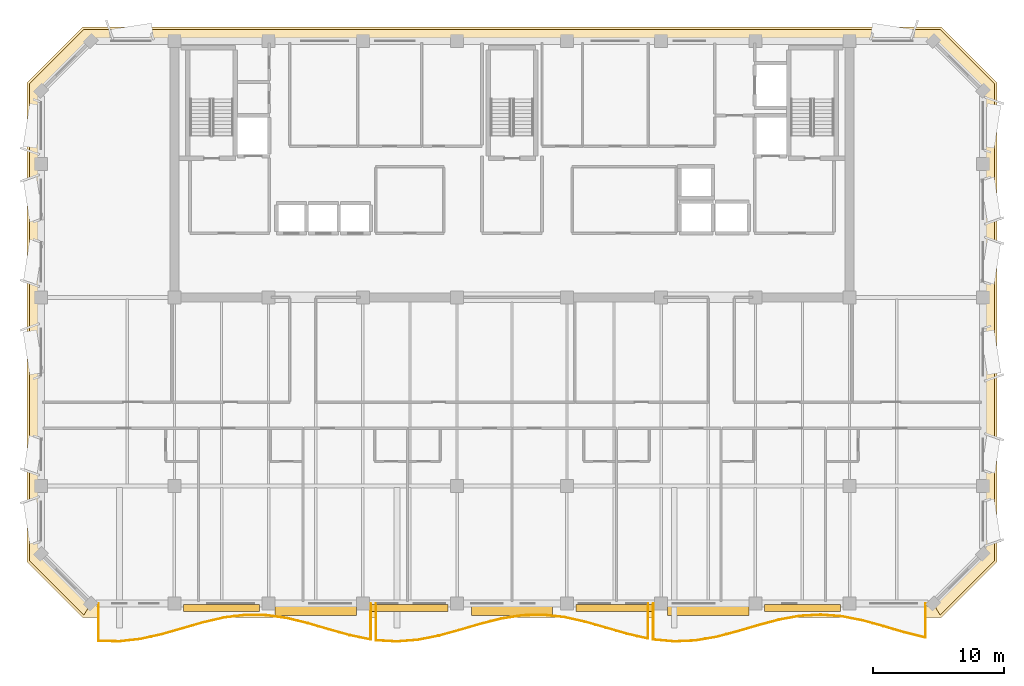
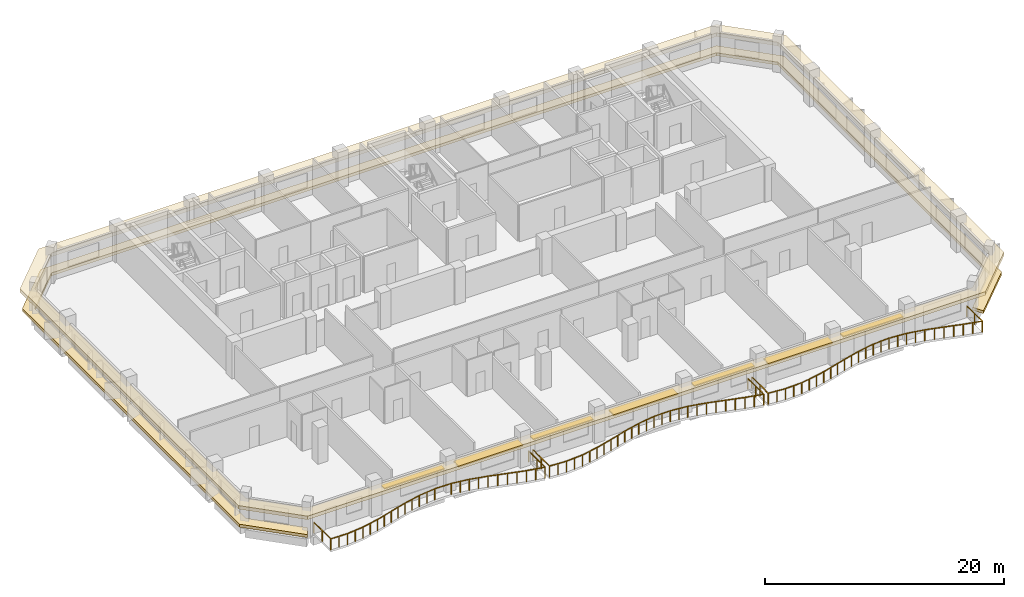
# One storey, part 9 of 11: 7 shading devices, 3 railings, 2 coverings.
"""IFC4 building model written with IfcOpenShell, lengths in metres."""

import ifcopenshell
import ifcopenshell.guid

model = None  # the IFC model being written
_history = None  # IfcOwnerHistory: only IFC2X3 demands one
_inside = {}  # id of a spatial element -> (the spatial element, [elements in it])
_under = {}  # id of a project, library or spatial element -> (it, [spatial elements below it])
_declared = {}  # id of a project -> (the project, [libraries it declares])
_typed = {}  # id of a type object -> (the type object, [elements of that type])
_made_of = {}  # id of a material, layer set ... -> (it, [elements and type objects made of it])


def new_model(schema):
    """Start an empty IFC model of exactly this schema.

    Asked for "IFC4X3", IfcOpenShell would pick the latest addendum, in which some entities
    have other attributes; the version numbers below select the first issue.
    IFC2X3 requires an IfcOwnerHistory on every rooted entity: one is made here for all.
    """
    global model, _history
    if schema == "IFC4X3":
        model = ifcopenshell.file(schema_version=(4, 3, 0, 0))
    else:
        model = ifcopenshell.file(schema=schema)
    _inside.clear()
    _under.clear()
    _declared.clear()
    _typed.clear()
    _made_of.clear()
    _history = None
    if model.schema == "IFC2X3":
        org = make("IfcOrganization", Name="unknown")
        user = make(
            "IfcPersonAndOrganization",
            ThePerson=make("IfcPerson", FamilyName="unknown"),
            TheOrganization=org,
        )
        app = make(
            "IfcApplication",
            ApplicationDeveloper=org,
            Version="unknown",
            ApplicationFullName="unknown",
            ApplicationIdentifier="unknown",
        )
        _history = make(
            "IfcOwnerHistory",
            OwningUser=user,
            OwningApplication=app,
            ChangeAction="ADDED",
            CreationDate=0,
        )
    return model


def make(cls, **values):
    """One entity of the class cls with the attributes given. An attribute that is None is left unset."""
    return model.create_entity(
        cls, **{name: value for name, value in values.items() if value is not None}
    )


def rooted(cls, **values):
    """An entity with a GlobalId (a new one), such as an element, a storey or a relation."""
    return make(cls, GlobalId=ifcopenshell.guid.new(), OwnerHistory=_history, **values)


def si_unit(unit_type, name, prefix=None):
    """IfcSIUnit, for example si_unit("LENGTHUNIT", "METRE", prefix="MILLI")."""
    return make("IfcSIUnit", UnitType=unit_type, Prefix=prefix, Name=name)


def assignment(units):
    """IfcUnitAssignment: the units of a project."""
    return None if units is None else make("IfcUnitAssignment", Units=units)


def point(xyz):
    """IfcCartesianPoint."""
    return None if xyz is None else make("IfcCartesianPoint", Coordinates=xyz)


def direction(xyz):
    """IfcDirection."""
    return None if xyz is None else make("IfcDirection", DirectionRatios=xyz)


def frame(location, z_axis=None, x_axis=None):
    """IfcAxis2Placement3D, a coordinate frame: its origin and axes. An axis left out is left unset."""
    return make(
        "IfcAxis2Placement3D",
        Location=point(location),
        Axis=direction(z_axis),
        RefDirection=direction(x_axis),
    )


def frame_2d(location, x_axis=None):
    """IfcAxis2Placement2D, a coordinate frame in the plane: its origin and x axis."""
    return make(
        "IfcAxis2Placement2D", Location=point(location), RefDirection=direction(x_axis)
    )


def origin():
    """The frame at (0, 0, 0) with its axes left unset."""
    return frame((0.0, 0.0, 0.0))


def origin_2d():
    """The frame at (0, 0) in the plane with its x axis left unset."""
    return frame_2d((0.0, 0.0))


def place(relative_to, where):
    """IfcLocalPlacement: puts the frame where relative to a parent placement (None: the world)."""
    return make(
        "IfcLocalPlacement", PlacementRelTo=relative_to, RelativePlacement=where
    )


def context(
    kind, dimensions, precision=None, world=None, true_north=None, identifier=None
):
    """IfcGeometricRepresentationContext, for example the 3D "Model" context."""
    return make(
        "IfcGeometricRepresentationContext",
        ContextIdentifier=identifier,
        ContextType=kind,
        CoordinateSpaceDimension=dimensions,
        Precision=precision,
        WorldCoordinateSystem=world,
        TrueNorth=true_north,
    )


def subcontext(parent, identifier, kind, view, scale=None):
    """IfcGeometricRepresentationSubContext, for example "Body" below "Model"."""
    return make(
        "IfcGeometricRepresentationSubContext",
        ContextIdentifier=identifier,
        ContextType=kind,
        ParentContext=parent,
        TargetScale=scale,
        TargetView=view,
    )


def project(units=None, contexts=None):
    """IfcProject with its units and contexts."""
    return rooted(
        "IfcProject",
        Name="project",
        RepresentationContexts=contexts,
        UnitsInContext=assignment(units),
    )


def spatial(cls, under=None, at=None, **own):
    """A site, building, storey or space (cls), placed at a placement, below another one or the project."""
    s = rooted(cls, ObjectPlacement=at, **own)
    if under is not None:
        _under.setdefault(under.id(), (under, []))[1].append(s)
    return s


def polyline(points):
    """IfcPolyline through the points."""
    return make("IfcPolyline", Points=[point(p) for p in points])


def profile(cls, at=None, kind="AREA", **sizes):
    """A parametric profile (cls). Its sizes go by their IFC names, for example OverallWidth=200.0."""
    return make(cls, ProfileType=kind, Position=at, **sizes)


def rectangle(**sizes):
    """IfcRectangleProfileDef."""
    return profile("IfcRectangleProfileDef", **sizes)


def outline(outer, holes=None, kind="AREA"):
    """IfcArbitraryClosedProfileDef: a profile drawn as a closed curve; with holes, ...WithVoids."""
    if holes is None:
        return make("IfcArbitraryClosedProfileDef", ProfileType=kind, OuterCurve=outer)
    return make(
        "IfcArbitraryProfileDefWithVoids",
        ProfileType=kind,
        OuterCurve=outer,
        InnerCurves=holes,
    )


def extrude(swept, where, along, depth):
    """IfcExtrudedAreaSolid: the profile swept, set in the frame where, extruded along a direction by depth."""
    return make(
        "IfcExtrudedAreaSolid",
        SweptArea=swept,
        Position=where,
        ExtrudedDirection=direction(along),
        Depth=depth,
    )


def shape(context_of_items, identifier, shape_type, items):
    """IfcShapeRepresentation: the items that make up one representation, for example the "Body"."""
    return make(
        "IfcShapeRepresentation",
        ContextOfItems=context_of_items,
        RepresentationIdentifier=identifier,
        RepresentationType=shape_type,
        Items=items,
    )


def material(Name=None, Category=None):
    """IfcMaterial."""
    return make("IfcMaterial", Name=Name, Category=Category)


def layer(
    of_material, thickness, ventilated=None, Name=None, Category=None, Priority=None
):
    """IfcMaterialLayer: one layer of a wall or slab, of a material (None: an air gap)."""
    return make(
        "IfcMaterialLayer",
        Material=of_material,
        LayerThickness=thickness,
        IsVentilated=ventilated,
        Name=Name,
        Category=Category,
        Priority=Priority,
    )


def layer_set(layers, Name=None):
    """IfcMaterialLayerSet."""
    return make("IfcMaterialLayerSet", MaterialLayers=layers, LayerSetName=Name)


def made_of(thing, what):
    """Note that an element or type object is made of a material, layer set ...; save() writes the relation."""
    if what is not None:
        _made_of.setdefault(what.id(), (what, []))[1].append(thing)
    return thing


def type_object(cls, material=None, **own):
    """A type object (cls), such as IfcWallType, which elements share."""
    return made_of(rooted(cls, **own), material)


def element(
    cls,
    number,
    at=None,
    inside=None,
    cuts=None,
    type_object=None,
    material=None,
    context=None,
    identifier="Body",
    shape_type=None,
    held_by="IfcProductDefinitionShape",
    body=None,
    shapes=None,
    **own,
):
    """One element of the class cls, such as IfcWall. Its Tag is "e" and its number.

    at: its placement. inside: the storey or other place that contains it. cuts: it is an
    opening in that element (IfcRelVoidsElement). A single representation is given by context,
    identifier, shape_type and body (its items); several are given by shapes. held_by: the class
    of the entity that holds the representations. save() writes the other relations.
    """
    e = rooted(cls, Tag="e%d" % number, ObjectPlacement=at, **own)
    if body is not None:
        shapes = [shape(context, identifier, shape_type, body)]
    if shapes is not None:
        e.Representation = make(held_by, Representations=shapes)
    if inside is not None:
        _inside.setdefault(inside.id(), (inside, []))[1].append(e)
    if cuts is not None:
        rooted(
            "IfcRelVoidsElement", RelatingBuildingElement=cuts, RelatedOpeningElement=e
        )
    if type_object is not None:
        _typed.setdefault(type_object.id(), (type_object, []))[1].append(e)
    return made_of(e, material)


def aggregate(whole, parts):
    """IfcRelAggregates: a whole, such as a stair, and the parts it consists of."""
    return rooted("IfcRelAggregates", RelatingObject=whole, RelatedObjects=parts)


def save(model, path):
    """Write the relations noted so far, then the file.

    IfcRelAggregates (storeys below a building ...), IfcRelContainedInSpatialStructure (elements
    in a storey), IfcRelDefinesByType, IfcRelAssociatesMaterial and IfcRelDeclares: one each for
    every whole, place, type object, material and project.
    """
    for whole, parts in _under.values():
        aggregate(whole, parts)
    for where, things in _inside.values():
        rooted(
            "IfcRelContainedInSpatialStructure",
            RelatedElements=things,
            RelatingStructure=where,
        )
    for kind, things in _typed.values():
        rooted("IfcRelDefinesByType", RelatedObjects=things, RelatingType=kind)
    for what, things in _made_of.values():
        rooted("IfcRelAssociatesMaterial", RelatedObjects=things, RelatingMaterial=what)
    for by, libraries in _declared.values():
        rooted("IfcRelDeclares", RelatingContext=by, RelatedDefinitions=libraries)
    model.write(path)


model = new_model("IFC4")

# Units and contexts
model_context = context("Model", 3, precision=1e-05, world=origin(), true_north=direction((0.0, 1.0)))
body_context = subcontext(model_context, "Body", "Model", "MODEL_VIEW")
ifc_project = project(units=[si_unit("LENGTHUNIT", "METRE"), si_unit("AREAUNIT", "SQUARE_METRE"), si_unit("VOLUMEUNIT", "CUBIC_METRE"), si_unit("PLANEANGLEUNIT", "RADIAN"), si_unit("MASSUNIT", "GRAM", prefix="KILO")], contexts=[model_context])

# Site, building, storey
site_placement = place(None, origin())
site = spatial("IfcSite", under=ifc_project, at=site_placement, CompositionType="ELEMENT")
building_placement = place(site_placement, origin())
building = spatial("IfcBuilding", under=site, at=building_placement, Name="Kaelvorn Grand Hotel", CompositionType="ELEMENT")
storey_placement = place(building_placement, frame((0.0, 0.0, 244.949951171875)))
storey = spatial("IfcBuildingStorey", under=building, at=storey_placement, Name="L60", CompositionType="ELEMENT", Elevation=244.949951171875)

# Coverings
ifc_material_1 = material(Name="Precast concrete C45/55", Category="concrete")
ifc_layer_1 = layer(ifc_material_1, 0.260009765625)
ifc_layer_set_1 = layer_set([ifc_layer_1], Name="Precast concrete C45/55")
covering_type_1 = type_object("IfcCoveringType", Name="COV-BAND-STREAMLINE-HEAD", PredefinedType="CLADDING", material=ifc_layer_set_1)
covering_1_placement = place(storey_placement, frame((0.0, 0.0, 2.420166015625)))
element("IfcCovering", 1, at=covering_1_placement, inside=storey, type_object=covering_type_1, Name="L60 Streamline Moderne Wraparound Horizontal Eyebrow Band", PredefinedType="CLADDING", context=body_context, shape_type="SweptSolid", body=[
    extrude(outline(polyline([(9.18994140625, 4.949951171875), (74.81005859375, 4.949951171875), (79.050048828125, 9.18994140625), (79.050048828125, 45.81005859375), (74.81005859375, 50.050048828125), (9.18994140625, 50.050048828125), (4.949951171875, 45.81005859375), (4.949951171875, 9.18994140625), (9.18994140625, 4.949951171875)]), holes=[polyline([(9.820068359375, 6.030029296875), (74.179931640625, 6.030029296875), (77.969970703125, 9.820068359375), (77.969970703125, 45.179931640625), (74.179931640625, 48.969970703125), (9.820068359375, 48.969970703125), (6.030029296875, 45.179931640625), (6.030029296875, 9.820068359375), (9.820068359375, 6.030029296875)])]), origin(), (0.0, 0.0, 1.0), 0.35986328125),
])
ifc_layer_2 = layer(ifc_material_1, 0.219970703125)
ifc_layer_set_2 = layer_set([ifc_layer_2], Name="Precast concrete C45/55")
covering_type_2 = type_object("IfcCoveringType", Name="COV-BAND-STREAMLINE-SILL", PredefinedType="CLADDING", material=ifc_layer_set_2)
covering_2_placement = place(storey_placement, frame((0.0, 0.0, 0.449951171875)))
element("IfcCovering", 2, at=covering_2_placement, inside=storey, type_object=covering_type_2, Name="L60 Streamline Moderne Wraparound Horizontal Sill Spandrel Band", PredefinedType="CLADDING", context=body_context, shape_type="SweptSolid", body=[
    extrude(outline(polyline([(74.715576171875, 5.1201171875), (78.8798828125, 9.284423828125), (78.8798828125, 45.715576171875), (74.715576171875, 49.8798828125), (9.284423828125, 49.8798828125), (5.1201171875, 45.715576171875), (5.1201171875, 9.284423828125), (9.284423828125, 5.1201171875), (9.817626953125, 6.030029296875), (6.030029296875, 9.817626953125), (6.030029296875, 45.182373046875), (9.817626953125, 48.969970703125), (74.182373046875, 48.969970703125), (77.969970703125, 45.182373046875), (77.969970703125, 9.817626953125), (74.182373046875, 6.030029296875), (74.715576171875, 5.1201171875)])), origin(), (0.0, 0.0, 1.0), 0.300048828125),
])

# Railings
ifc_material_2 = material(Name="Stainless Steel", Category="steel")
railing_type = type_object("IfcRailingType", Name="RL-BALC-1150", PredefinedType="BALUSTRADE", material=ifc_material_2)
railing_1_placement = place(storey_placement, frame((10.39990234375, 6.0, 0.0)))
element("IfcRailing", 3, at=railing_1_placement, inside=storey, type_object=railing_type, Name="L60 Scalloped Wave Balcony Balustrade GR1-1", PredefinedType="BALUSTRADE", context=body_context, shape_type="SweptSolid", body=[
    extrude(rectangle(XDim=0.048095703125, YDim=0.048095703125, at=origin_2d()), frame((0.0, 0.0, 1.1259765625), z_axis=(0.0, -1.0, 0.0), x_axis=(1.0, 0.0, 0.0)), (0.0, 0.0, 1.0), 2.849853515625),
    extrude(rectangle(XDim=0.048095703125, YDim=0.048095703125, at=origin_2d()), frame((0.0, -2.849853515625, 1.1259765625), z_axis=(0.999713206321, -0.023947966645, 0.0), x_axis=(0.023947966645, 0.999713206321, 0.0)), (0.0, 0.0, 1.0), 1.6005859375),
    extrude(rectangle(XDim=0.048095703125, YDim=0.048095703125, at=origin_2d()), frame((1.60009765625, -2.88818359375, 1.1259765625), z_axis=(0.993937251022, 0.109948810954, 0.0), x_axis=(-0.109948810954, 0.993937251022, 0.0)), (0.0, 0.0, 1.0), 1.60986328125),
    extrude(rectangle(XDim=0.048095703125, YDim=0.048095703125, at=origin_2d()), frame((3.2001953125, -2.711181640625, 1.1259765625), z_axis=(0.976257116807, 0.216614962282, 0.0), x_axis=(-0.216614962282, 0.976257116807, 0.0)), (0.0, 0.0, 1.0), 1.638671875),
    extrude(rectangle(XDim=0.048095703125, YDim=0.048095703125, at=origin_2d()), frame((4.800048828125, -2.356201171875, 1.1259765625), z_axis=(0.961507337723, 0.274779255959, 0.0), x_axis=(-0.274779255959, 0.961507337723, 0.0)), (0.0, 0.0, 1.0), 1.6640625),
    extrude(rectangle(XDim=0.048095703125, YDim=0.048095703125, at=origin_2d()), frame((6.400146484375, -1.89892578125, 1.1259765625), z_axis=(0.960678560295, 0.27766293197, 0.0), x_axis=(-0.27766293197, 0.960678560295, 0.0)), (0.0, 0.0, 1.0), 1.665283203125),
    extrude(rectangle(XDim=0.048095703125, YDim=0.048095703125, at=origin_2d()), frame((8.0, -1.4365234375, 1.1259765625), z_axis=(0.974406227917, 0.224794357127, 0.0), x_axis=(-0.224794357127, 0.974406227917, 0.0)), (0.0, 0.0, 1.0), 1.64208984375),
    extrude(rectangle(XDim=0.048095703125, YDim=0.048095703125, at=origin_2d()), frame((9.60009765625, -1.0673828125, 1.1259765625), z_axis=(0.992467733724, 0.122506316232, 0.0), x_axis=(-0.122506316232, 0.992467733724, 0.0)), (0.0, 0.0, 1.0), 1.6123046875),
    extrude(rectangle(XDim=0.048095703125, YDim=0.048095703125, at=origin_2d()), frame((11.2001953125, -0.869873046875, 1.1259765625), z_axis=(0.999946164045, -0.010376367947, 0.0), x_axis=(0.010376367947, 0.999946164045, 0.0)), (0.0, 0.0, 1.0), 1.599853515625),
    extrude(rectangle(XDim=0.048095703125, YDim=0.048095703125, at=origin_2d()), frame((12.800048828125, -0.886474609375, 1.1259765625), z_axis=(0.990102995912, -0.14034264315, 0.0), x_axis=(0.14034264315, 0.990102995912, 0.0)), (0.0, 0.0, 1.0), 1.6162109375),
    extrude(rectangle(XDim=0.048095703125, YDim=0.048095703125, at=origin_2d()), frame((14.400146484375, -1.11328125, 1.1259765625), z_axis=(0.971700727271, -0.236215360681, 0.0), x_axis=(0.236215360681, 0.971700727271, 0.0)), (0.0, 0.0, 1.0), 1.646484375),
    extrude(rectangle(XDim=0.048095703125, YDim=0.048095703125, at=origin_2d()), frame((16.0, -1.502197265625, 1.1259765625), z_axis=(0.959786500851, -0.28073096157, 0.0), x_axis=(0.28073096157, 0.959786500851, 0.0)), (0.0, 0.0, 1.0), 1.667236328125),
    extrude(rectangle(XDim=0.048095703125, YDim=0.048095703125, at=origin_2d()), frame((17.60009765625, -1.97021484375, 1.1259765625), z_axis=(0.962968597463, -0.269613575884, 0.0), x_axis=(0.269613575884, 0.962968597463, 0.0)), (0.0, 0.0, 1.0), 1.66162109375),
    extrude(rectangle(XDim=0.048095703125, YDim=0.048095703125, at=origin_2d()), frame((19.2001953125, -2.418212890625, 1.1259765625), z_axis=(0.979105781264, -0.203351589852, 0.0), x_axis=(0.203351589852, 0.979105781264, 0.0)), (0.0, 0.0, 1.0), 1.634033203125),
    extrude(rectangle(XDim=0.048095703125, YDim=0.048095703125, at=origin_2d()), frame((20.800048828125, -2.75048828125, 1.1259765625), z_axis=(0.0, 1.0, 0.0), x_axis=(-1.0, 0.0, 0.0)), (0.0, 0.0, 1.0), 2.75048828125),
    extrude(rectangle(XDim=0.0419921875, YDim=0.0419921875, at=origin_2d()), origin(), (0.0, 0.0, 1.0), 1.101806640625),
    extrude(rectangle(XDim=0.0419921875, YDim=0.0419921875, at=origin_2d()), frame((0.0, -1.4248046875, 0.0)), (0.0, 0.0, 1.0), 1.101806640625),
    extrude(rectangle(XDim=0.0419921875, YDim=0.0419921875, at=origin_2d()), frame((0.0, -2.849853515625, 0.0)), (0.0, 0.0, 1.0), 1.101806640625),
    extrude(rectangle(XDim=0.0419921875, YDim=0.0419921875, at=origin_2d()), frame((0.800048828125, -2.869140625, 0.0)), (0.0, 0.0, 1.0), 1.101806640625),
    extrude(rectangle(XDim=0.0419921875, YDim=0.0419921875, at=origin_2d()), frame((1.60009765625, -2.88818359375, 0.0)), (0.0, 0.0, 1.0), 1.101806640625),
    extrude(rectangle(XDim=0.0419921875, YDim=0.0419921875, at=origin_2d()), frame((2.400146484375, -2.7998046875, 0.0)), (0.0, 0.0, 1.0), 1.101806640625),
    extrude(rectangle(XDim=0.0419921875, YDim=0.0419921875, at=origin_2d()), frame((3.2001953125, -2.711181640625, 0.0)), (0.0, 0.0, 1.0), 1.101806640625),
    extrude(rectangle(XDim=0.0419921875, YDim=0.0419921875, at=origin_2d()), frame((4.0, -2.53369140625, 0.0)), (0.0, 0.0, 1.0), 1.101806640625),
    extrude(rectangle(XDim=0.0419921875, YDim=0.0419921875, at=origin_2d()), frame((4.800048828125, -2.356201171875, 0.0)), (0.0, 0.0, 1.0), 1.101806640625),
    extrude(rectangle(XDim=0.0419921875, YDim=0.0419921875, at=origin_2d()), frame((5.60009765625, -2.12744140625, 0.0)), (0.0, 0.0, 1.0), 1.101806640625),
    extrude(rectangle(XDim=0.0419921875, YDim=0.0419921875, at=origin_2d()), frame((6.400146484375, -1.89892578125, 0.0)), (0.0, 0.0, 1.0), 1.101806640625),
    extrude(rectangle(XDim=0.0419921875, YDim=0.0419921875, at=origin_2d()), frame((7.2001953125, -1.667724609375, 0.0)), (0.0, 0.0, 1.0), 1.101806640625),
    extrude(rectangle(XDim=0.0419921875, YDim=0.0419921875, at=origin_2d()), frame((8.0, -1.4365234375, 0.0)), (0.0, 0.0, 1.0), 1.101806640625),
    extrude(rectangle(XDim=0.0419921875, YDim=0.0419921875, at=origin_2d()), frame((8.800048828125, -1.251953125, 0.0)), (0.0, 0.0, 1.0), 1.101806640625),
    extrude(rectangle(XDim=0.0419921875, YDim=0.0419921875, at=origin_2d()), frame((9.60009765625, -1.0673828125, 0.0)), (0.0, 0.0, 1.0), 1.101806640625),
    extrude(rectangle(XDim=0.0419921875, YDim=0.0419921875, at=origin_2d()), frame((10.400146484375, -0.96875, 0.0)), (0.0, 0.0, 1.0), 1.101806640625),
    extrude(rectangle(XDim=0.0419921875, YDim=0.0419921875, at=origin_2d()), frame((11.2001953125, -0.869873046875, 0.0)), (0.0, 0.0, 1.0), 1.101806640625),
    extrude(rectangle(XDim=0.0419921875, YDim=0.0419921875, at=origin_2d()), frame((12.800048828125, -0.886474609375, 0.0)), (0.0, 0.0, 1.0), 1.101806640625),
    extrude(rectangle(XDim=0.0419921875, YDim=0.0419921875, at=origin_2d()), frame((13.60009765625, -1.0, 0.0)), (0.0, 0.0, 1.0), 1.101806640625),
    extrude(rectangle(XDim=0.0419921875, YDim=0.0419921875, at=origin_2d()), frame((14.400146484375, -1.11328125, 0.0)), (0.0, 0.0, 1.0), 1.101806640625),
    extrude(rectangle(XDim=0.0419921875, YDim=0.0419921875, at=origin_2d()), frame((15.2001953125, -1.3076171875, 0.0)), (0.0, 0.0, 1.0), 1.101806640625),
    extrude(rectangle(XDim=0.0419921875, YDim=0.0419921875, at=origin_2d()), frame((16.0, -1.502197265625, 0.0)), (0.0, 0.0, 1.0), 1.101806640625),
    extrude(rectangle(XDim=0.0419921875, YDim=0.0419921875, at=origin_2d()), frame((16.800048828125, -1.736328125, 0.0)), (0.0, 0.0, 1.0), 1.101806640625),
    extrude(rectangle(XDim=0.0419921875, YDim=0.0419921875, at=origin_2d()), frame((17.60009765625, -1.97021484375, 0.0)), (0.0, 0.0, 1.0), 1.101806640625),
    extrude(rectangle(XDim=0.0419921875, YDim=0.0419921875, at=origin_2d()), frame((18.400146484375, -2.1943359375, 0.0)), (0.0, 0.0, 1.0), 1.101806640625),
    extrude(rectangle(XDim=0.0419921875, YDim=0.0419921875, at=origin_2d()), frame((19.2001953125, -2.418212890625, 0.0)), (0.0, 0.0, 1.0), 1.101806640625),
    extrude(rectangle(XDim=0.0419921875, YDim=0.0419921875, at=origin_2d()), frame((20.0, -2.58447265625, 0.0)), (0.0, 0.0, 1.0), 1.101806640625),
    extrude(rectangle(XDim=0.0419921875, YDim=0.0419921875, at=origin_2d()), frame((20.800048828125, -2.75048828125, 0.0)), (0.0, 0.0, 1.0), 1.101806640625),
    extrude(rectangle(XDim=0.0419921875, YDim=0.0419921875, at=origin_2d()), frame((20.800048828125, -1.375244140625, 0.0)), (0.0, 0.0, 1.0), 1.101806640625),
    extrude(rectangle(XDim=0.0419921875, YDim=0.0419921875, at=origin_2d()), frame((20.800048828125, 0.0, 0.0)), (0.0, 0.0, 1.0), 1.101806640625),
])
railing_2_placement = place(storey_placement, frame((31.60009765625, 6.0, 0.0)))
element("IfcRailing", 4, at=railing_2_placement, inside=storey, type_object=railing_type, Name="L60 Scalloped Wave Balcony Balustrade GR1-2", PredefinedType="BALUSTRADE", context=body_context, shape_type="SweptSolid", body=[
    extrude(rectangle(XDim=0.048095703125, YDim=0.048095703125, at=origin_2d()), frame((0.0, 0.0, 1.1259765625), z_axis=(0.0, -1.0, 0.0), x_axis=(1.0, 0.0, 0.0)), (0.0, 0.0, 1.0), 2.806396484375),
    extrude(rectangle(XDim=0.048095703125, YDim=0.048095703125, at=origin_2d()), frame((0.0, -2.806396484375, 1.1259765625), z_axis=(0.998314067233, -0.058043286985, 0.0), x_axis=(0.058043286985, 0.998314067233, 0.0)), (0.0, 0.0, 1.0), 1.6025390625),
    extrude(rectangle(XDim=0.048095703125, YDim=0.048095703125, at=origin_2d()), frame((1.599853515625, -2.8994140625, 1.1259765625), z_axis=(0.99696251046, 0.077882942532, 0.0), x_axis=(-0.077882942532, 0.99696251046, 0.0)), (0.0, 0.0, 1.0), 1.60498046875),
    extrude(rectangle(XDim=0.048095703125, YDim=0.048095703125, at=origin_2d()), frame((3.199951171875, -2.7744140625, 1.1259765625), z_axis=(0.980998741428, 0.194014095665, 0.0), x_axis=(-0.194014095665, 0.980998741428, 0.0)), (0.0, 0.0, 1.0), 1.630859375),
    extrude(rectangle(XDim=0.048095703125, YDim=0.048095703125, at=origin_2d()), frame((4.7998046875, -2.4580078125, 1.1259765625), z_axis=(0.964143309379, 0.265382137644, 0.0), x_axis=(-0.265382137644, 0.964143309379, 0.0)), (0.0, 0.0, 1.0), 1.65966796875),
    extrude(rectangle(XDim=0.048095703125, YDim=0.048095703125, at=origin_2d()), frame((6.39990234375, -2.017578125, 1.1259765625), z_axis=(0.959351515378, 0.282213872696, 0.0), x_axis=(-0.282213872696, 0.959351515378, 0.0)), (0.0, 0.0, 1.0), 1.66796875),
    extrude(rectangle(XDim=0.048095703125, YDim=0.048095703125, at=origin_2d()), frame((8.0, -1.546875, 1.1259765625), z_axis=(0.970011748649, 0.243058033158, 0.0), x_axis=(-0.243058033158, 0.970011748649, 0.0)), (0.0, 0.0, 1.0), 1.6494140625),
    extrude(rectangle(XDim=0.048095703125, YDim=0.048095703125, at=origin_2d()), frame((9.599853515625, -1.14599609375, 1.1259765625), z_axis=(0.988401317612, 0.151864529575, 0.0), x_axis=(-0.151864529575, 0.988401317612, 0.0)), (0.0, 0.0, 1.0), 1.618896484375),
    extrude(rectangle(XDim=0.048095703125, YDim=0.048095703125, at=origin_2d()), frame((11.199951171875, -0.900146484375, 1.1259765625), z_axis=(0.999713118822, 0.023951619053, 0.0), x_axis=(-0.023951619053, 0.999713118822, 0.0)), (0.0, 0.0, 1.0), 1.600341796875),
    extrude(rectangle(XDim=0.048095703125, YDim=0.048095703125, at=origin_2d()), frame((12.7998046875, -0.86181640625, 1.1259765625), z_axis=(0.993937251022, -0.109948810954, 0.0), x_axis=(0.109948810954, 0.993937251022, 0.0)), (0.0, 0.0, 1.0), 1.60986328125),
    extrude(rectangle(XDim=0.048095703125, YDim=0.048095703125, at=origin_2d()), frame((14.39990234375, -1.038818359375, 1.1259765625), z_axis=(0.976264105664, -0.216583461952, 0.0), x_axis=(0.216583461952, 0.976264105664, 0.0)), (0.0, 0.0, 1.0), 1.638916015625),
    extrude(rectangle(XDim=0.048095703125, YDim=0.048095703125, at=origin_2d()), frame((16.0, -1.393798828125, 1.1259765625), z_axis=(0.961496258585, -0.274818021109, 0.0), x_axis=(0.274818021109, 0.961496258585, 0.0)), (0.0, 0.0, 1.0), 1.663818359375),
    extrude(rectangle(XDim=0.048095703125, YDim=0.048095703125, at=origin_2d()), frame((17.599853515625, -1.85107421875, 1.1259765625), z_axis=(0.960689860387, -0.277623832098, 0.0), x_axis=(0.277623832098, 0.960689860387, 0.0)), (0.0, 0.0, 1.0), 1.66552734375),
    extrude(rectangle(XDim=0.048095703125, YDim=0.048095703125, at=origin_2d()), frame((19.199951171875, -2.3134765625, 1.1259765625), z_axis=(0.974398713439, -0.224826927319, 0.0), x_axis=(0.224826927319, 0.974398713439, 0.0)), (0.0, 0.0, 1.0), 1.641845703125),
    extrude(rectangle(XDim=0.048095703125, YDim=0.048095703125, at=origin_2d()), frame((20.7998046875, -2.6826171875, 1.1259765625), z_axis=(0.0, 1.0, 0.0), x_axis=(-1.0, 0.0, 0.0)), (0.0, 0.0, 1.0), 2.6826171875),
    extrude(rectangle(XDim=0.0419921875, YDim=0.0419921875, at=origin_2d()), origin(), (0.0, 0.0, 1.0), 1.101806640625),
    extrude(rectangle(XDim=0.0419921875, YDim=0.0419921875, at=origin_2d()), frame((0.0, -1.4033203125, 0.0)), (0.0, 0.0, 1.0), 1.101806640625),
    extrude(rectangle(XDim=0.0419921875, YDim=0.0419921875, at=origin_2d()), frame((0.0, -2.806396484375, 0.0)), (0.0, 0.0, 1.0), 1.101806640625),
    extrude(rectangle(XDim=0.0419921875, YDim=0.0419921875, at=origin_2d()), frame((0.7998046875, -2.85302734375, 0.0)), (0.0, 0.0, 1.0), 1.101806640625),
    extrude(rectangle(XDim=0.0419921875, YDim=0.0419921875, at=origin_2d()), frame((1.599853515625, -2.8994140625, 0.0)), (0.0, 0.0, 1.0), 1.101806640625),
    extrude(rectangle(XDim=0.0419921875, YDim=0.0419921875, at=origin_2d()), frame((2.39990234375, -2.8369140625, 0.0)), (0.0, 0.0, 1.0), 1.101806640625),
    extrude(rectangle(XDim=0.0419921875, YDim=0.0419921875, at=origin_2d()), frame((3.199951171875, -2.7744140625, 0.0)), (0.0, 0.0, 1.0), 1.101806640625),
    extrude(rectangle(XDim=0.0419921875, YDim=0.0419921875, at=origin_2d()), frame((4.0, -2.6162109375, 0.0)), (0.0, 0.0, 1.0), 1.101806640625),
    extrude(rectangle(XDim=0.0419921875, YDim=0.0419921875, at=origin_2d()), frame((4.7998046875, -2.4580078125, 0.0)), (0.0, 0.0, 1.0), 1.101806640625),
    extrude(rectangle(XDim=0.0419921875, YDim=0.0419921875, at=origin_2d()), frame((5.599853515625, -2.23779296875, 0.0)), (0.0, 0.0, 1.0), 1.101806640625),
    extrude(rectangle(XDim=0.0419921875, YDim=0.0419921875, at=origin_2d()), frame((6.39990234375, -2.017578125, 0.0)), (0.0, 0.0, 1.0), 1.101806640625),
    extrude(rectangle(XDim=0.0419921875, YDim=0.0419921875, at=origin_2d()), frame((7.199951171875, -1.7822265625, 0.0)), (0.0, 0.0, 1.0), 1.101806640625),
    extrude(rectangle(XDim=0.0419921875, YDim=0.0419921875, at=origin_2d()), frame((8.0, -1.546875, 0.0)), (0.0, 0.0, 1.0), 1.101806640625),
    extrude(rectangle(XDim=0.0419921875, YDim=0.0419921875, at=origin_2d()), frame((8.7998046875, -1.346435546875, 0.0)), (0.0, 0.0, 1.0), 1.101806640625),
    extrude(rectangle(XDim=0.0419921875, YDim=0.0419921875, at=origin_2d()), frame((9.599853515625, -1.14599609375, 0.0)), (0.0, 0.0, 1.0), 1.101806640625),
    extrude(rectangle(XDim=0.0419921875, YDim=0.0419921875, at=origin_2d()), frame((10.39990234375, -1.02294921875, 0.0)), (0.0, 0.0, 1.0), 1.101806640625),
    extrude(rectangle(XDim=0.0419921875, YDim=0.0419921875, at=origin_2d()), frame((11.199951171875, -0.900146484375, 0.0)), (0.0, 0.0, 1.0), 1.101806640625),
    extrude(rectangle(XDim=0.0419921875, YDim=0.0419921875, at=origin_2d()), frame((12.0, -0.880859375, 0.0)), (0.0, 0.0, 1.0), 1.101806640625),
    extrude(rectangle(XDim=0.0419921875, YDim=0.0419921875, at=origin_2d()), frame((12.7998046875, -0.86181640625, 0.0)), (0.0, 0.0, 1.0), 1.101806640625),
    extrude(rectangle(XDim=0.0419921875, YDim=0.0419921875, at=origin_2d()), frame((13.599853515625, -0.9501953125, 0.0)), (0.0, 0.0, 1.0), 1.101806640625),
    extrude(rectangle(XDim=0.0419921875, YDim=0.0419921875, at=origin_2d()), frame((14.39990234375, -1.038818359375, 0.0)), (0.0, 0.0, 1.0), 1.101806640625),
    extrude(rectangle(XDim=0.0419921875, YDim=0.0419921875, at=origin_2d()), frame((15.199951171875, -1.21630859375, 0.0)), (0.0, 0.0, 1.0), 1.101806640625),
    extrude(rectangle(XDim=0.0419921875, YDim=0.0419921875, at=origin_2d()), frame((16.0, -1.393798828125, 0.0)), (0.0, 0.0, 1.0), 1.101806640625),
    extrude(rectangle(XDim=0.0419921875, YDim=0.0419921875, at=origin_2d()), frame((16.7998046875, -1.62255859375, 0.0)), (0.0, 0.0, 1.0), 1.101806640625),
    extrude(rectangle(XDim=0.0419921875, YDim=0.0419921875, at=origin_2d()), frame((17.599853515625, -1.85107421875, 0.0)), (0.0, 0.0, 1.0), 1.101806640625),
    extrude(rectangle(XDim=0.0419921875, YDim=0.0419921875, at=origin_2d()), frame((18.39990234375, -2.082275390625, 0.0)), (0.0, 0.0, 1.0), 1.101806640625),
    extrude(rectangle(XDim=0.0419921875, YDim=0.0419921875, at=origin_2d()), frame((19.199951171875, -2.3134765625, 0.0)), (0.0, 0.0, 1.0), 1.101806640625),
    extrude(rectangle(XDim=0.0419921875, YDim=0.0419921875, at=origin_2d()), frame((20.0, -2.498046875, 0.0)), (0.0, 0.0, 1.0), 1.101806640625),
    extrude(rectangle(XDim=0.0419921875, YDim=0.0419921875, at=origin_2d()), frame((20.7998046875, -2.6826171875, 0.0)), (0.0, 0.0, 1.0), 1.101806640625),
    extrude(rectangle(XDim=0.0419921875, YDim=0.0419921875, at=origin_2d()), frame((20.7998046875, -1.34130859375, 0.0)), (0.0, 0.0, 1.0), 1.101806640625),
    extrude(rectangle(XDim=0.0419921875, YDim=0.0419921875, at=origin_2d()), frame((20.7998046875, 0.0, 0.0)), (0.0, 0.0, 1.0), 1.101806640625),
])
railing_3_placement = place(storey_placement, frame((52.800048828125, 6.0, 0.0)))
element("IfcRailing", 5, at=railing_3_placement, inside=storey, type_object=railing_type, Name="L60 Scalloped Wave Balcony Balustrade GR1-3", PredefinedType="BALUSTRADE", context=body_context, shape_type="SweptSolid", body=[
    extrude(rectangle(XDim=0.048095703125, YDim=0.048095703125, at=origin_2d()), frame((0.0, 0.0, 1.1259765625), z_axis=(0.0, -1.0, 0.0), x_axis=(1.0, 0.0, 0.0)), (0.0, 0.0, 1.0), 2.75048828125),
    extrude(rectangle(XDim=0.048095703125, YDim=0.048095703125, at=origin_2d()), frame((0.0, -2.75048828125, 1.1259765625), z_axis=(0.995862006079, -0.090878296908, 0.0), x_axis=(0.090878296908, 0.995862006079, 0.0)), (0.0, 0.0, 1.0), 1.6064453125),
    extrude(rectangle(XDim=0.048095703125, YDim=0.048095703125, at=origin_2d()), frame((1.599853515625, -2.896484375, 1.1259765625), z_axis=(0.999015758747, 0.044356665517, 0.0), x_axis=(-0.044356665517, 0.999015758747, 0.0)), (0.0, 0.0, 1.0), 1.6015625),
    extrude(rectangle(XDim=0.048095703125, YDim=0.048095703125, at=origin_2d()), frame((3.199951171875, -2.825439453125, 1.1259765625), z_axis=(0.985710855115, 0.168446163828, 0.0), x_axis=(-0.168446163828, 0.985710855115, 0.0)), (0.0, 0.0, 1.0), 1.623291015625),
    extrude(rectangle(XDim=0.048095703125, YDim=0.048095703125, at=origin_2d()), frame((4.800048828125, -2.552001953125, 1.1259765625), z_axis=(0.9675984532, 0.252494026396, 0.0), x_axis=(-0.252494026396, 0.9675984532, 0.0)), (0.0, 0.0, 1.0), 1.6533203125),
    extrude(rectangle(XDim=0.048095703125, YDim=0.048095703125, at=origin_2d()), frame((6.39990234375, -2.134521484375, 1.1259765625), z_axis=(0.959033972874, 0.28329108506, 0.0), x_axis=(-0.28329108506, 0.959033972874, 0.0)), (0.0, 0.0, 1.0), 1.66845703125),
    extrude(rectangle(XDim=0.048095703125, YDim=0.048095703125, at=origin_2d()), frame((8.0, -1.661865234375, 1.1259765625), z_axis=(0.966141888597, 0.258011339088, 0.0), x_axis=(-0.258011339088, 0.966141888597, 0.0)), (0.0, 0.0, 1.0), 1.656005859375),
    extrude(rectangle(XDim=0.048095703125, YDim=0.048095703125, at=origin_2d()), frame((9.599853515625, -1.234619140625, 1.1259765625), z_axis=(0.983860301257, 0.178938278776, 0.0), x_axis=(-0.178938278776, 0.983860301257, 0.0)), (0.0, 0.0, 1.0), 1.62646484375),
    extrude(rectangle(XDim=0.048095703125, YDim=0.048095703125, at=origin_2d()), frame((11.199951171875, -0.943603515625, 1.1259765625), z_axis=(0.998314580369, 0.058034460653, 0.0), x_axis=(-0.058034460653, 0.998314580369, 0.0)), (0.0, 0.0, 1.0), 1.602783203125),
    extrude(rectangle(XDim=0.048095703125, YDim=0.048095703125, at=origin_2d()), frame((12.800048828125, -0.8505859375, 1.1259765625), z_axis=(0.996961587557, -0.077894755506, 0.0), x_axis=(0.077894755506, 0.996961587557, 0.0)), (0.0, 0.0, 1.0), 1.604736328125),
    extrude(rectangle(XDim=0.048095703125, YDim=0.048095703125, at=origin_2d()), frame((14.39990234375, -0.9755859375, 1.1259765625), z_axis=(0.981004375199, -0.193985607302, 0.0), x_axis=(0.193985607302, 0.981004375199, 0.0)), (0.0, 0.0, 1.0), 1.631103515625),
    extrude(rectangle(XDim=0.048095703125, YDim=0.048095703125, at=origin_2d()), frame((16.0, -1.2919921875, 1.1259765625), z_axis=(0.964132946726, -0.265419782679, 0.0), x_axis=(0.265419782679, 0.964132946726, 0.0)), (0.0, 0.0, 1.0), 1.659423828125),
    extrude(rectangle(XDim=0.048095703125, YDim=0.048095703125, at=origin_2d()), frame((17.599853515625, -1.732421875, 1.1259765625), z_axis=(0.959351515378, -0.282213872696, 0.0), x_axis=(0.282213872696, 0.959351515378, 0.0)), (0.0, 0.0, 1.0), 1.66796875),
    extrude(rectangle(XDim=0.048095703125, YDim=0.048095703125, at=origin_2d()), frame((19.199951171875, -2.203125, 1.1259765625), z_axis=(0.970020491705, -0.243023138142, 0.0), x_axis=(0.243023138142, 0.970020491705, 0.0)), (0.0, 0.0, 1.0), 1.649658203125),
    extrude(rectangle(XDim=0.048095703125, YDim=0.048095703125, at=origin_2d()), frame((20.800048828125, -2.60400390625, 1.1259765625), z_axis=(0.0, 1.0, 0.0), x_axis=(-1.0, 0.0, 0.0)), (0.0, 0.0, 1.0), 2.60400390625),
    extrude(rectangle(XDim=0.0419921875, YDim=0.0419921875, at=origin_2d()), origin(), (0.0, 0.0, 1.0), 1.101806640625),
    extrude(rectangle(XDim=0.0419921875, YDim=0.0419921875, at=origin_2d()), frame((0.0, -1.375244140625, 0.0)), (0.0, 0.0, 1.0), 1.101806640625),
    extrude(rectangle(XDim=0.0419921875, YDim=0.0419921875, at=origin_2d()), frame((0.0, -2.75048828125, 0.0)), (0.0, 0.0, 1.0), 1.101806640625),
    extrude(rectangle(XDim=0.0419921875, YDim=0.0419921875, at=origin_2d()), frame((0.7998046875, -2.823486328125, 0.0)), (0.0, 0.0, 1.0), 1.101806640625),
    extrude(rectangle(XDim=0.0419921875, YDim=0.0419921875, at=origin_2d()), frame((1.599853515625, -2.896484375, 0.0)), (0.0, 0.0, 1.0), 1.101806640625),
    extrude(rectangle(XDim=0.0419921875, YDim=0.0419921875, at=origin_2d()), frame((2.39990234375, -2.86083984375, 0.0)), (0.0, 0.0, 1.0), 1.101806640625),
    extrude(rectangle(XDim=0.0419921875, YDim=0.0419921875, at=origin_2d()), frame((3.199951171875, -2.825439453125, 0.0)), (0.0, 0.0, 1.0), 1.101806640625),
    extrude(rectangle(XDim=0.0419921875, YDim=0.0419921875, at=origin_2d()), frame((4.0, -2.688720703125, 0.0)), (0.0, 0.0, 1.0), 1.101806640625),
    extrude(rectangle(XDim=0.0419921875, YDim=0.0419921875, at=origin_2d()), frame((4.800048828125, -2.552001953125, 0.0)), (0.0, 0.0, 1.0), 1.101806640625),
    extrude(rectangle(XDim=0.0419921875, YDim=0.0419921875, at=origin_2d()), frame((5.60009765625, -2.34326171875, 0.0)), (0.0, 0.0, 1.0), 1.101806640625),
    extrude(rectangle(XDim=0.0419921875, YDim=0.0419921875, at=origin_2d()), frame((6.39990234375, -2.134521484375, 0.0)), (0.0, 0.0, 1.0), 1.101806640625),
    extrude(rectangle(XDim=0.0419921875, YDim=0.0419921875, at=origin_2d()), frame((7.199951171875, -1.898193359375, 0.0)), (0.0, 0.0, 1.0), 1.101806640625),
    extrude(rectangle(XDim=0.0419921875, YDim=0.0419921875, at=origin_2d()), frame((8.0, -1.661865234375, 0.0)), (0.0, 0.0, 1.0), 1.101806640625),
    extrude(rectangle(XDim=0.0419921875, YDim=0.0419921875, at=origin_2d()), frame((8.7998046875, -1.4482421875, 0.0)), (0.0, 0.0, 1.0), 1.101806640625),
    extrude(rectangle(XDim=0.0419921875, YDim=0.0419921875, at=origin_2d()), frame((9.599853515625, -1.234619140625, 0.0)), (0.0, 0.0, 1.0), 1.101806640625),
    extrude(rectangle(XDim=0.0419921875, YDim=0.0419921875, at=origin_2d()), frame((10.39990234375, -1.089111328125, 0.0)), (0.0, 0.0, 1.0), 1.101806640625),
    extrude(rectangle(XDim=0.0419921875, YDim=0.0419921875, at=origin_2d()), frame((11.199951171875, -0.943603515625, 0.0)), (0.0, 0.0, 1.0), 1.101806640625),
    extrude(rectangle(XDim=0.0419921875, YDim=0.0419921875, at=origin_2d()), frame((12.0, -0.89697265625, 0.0)), (0.0, 0.0, 1.0), 1.101806640625),
    extrude(rectangle(XDim=0.0419921875, YDim=0.0419921875, at=origin_2d()), frame((12.800048828125, -0.8505859375, 0.0)), (0.0, 0.0, 1.0), 1.101806640625),
    extrude(rectangle(XDim=0.0419921875, YDim=0.0419921875, at=origin_2d()), frame((13.60009765625, -0.9130859375, 0.0)), (0.0, 0.0, 1.0), 1.101806640625),
    extrude(rectangle(XDim=0.0419921875, YDim=0.0419921875, at=origin_2d()), frame((14.39990234375, -0.9755859375, 0.0)), (0.0, 0.0, 1.0), 1.101806640625),
    extrude(rectangle(XDim=0.0419921875, YDim=0.0419921875, at=origin_2d()), frame((15.199951171875, -1.1337890625, 0.0)), (0.0, 0.0, 1.0), 1.101806640625),
    extrude(rectangle(XDim=0.0419921875, YDim=0.0419921875, at=origin_2d()), frame((16.0, -1.2919921875, 0.0)), (0.0, 0.0, 1.0), 1.101806640625),
    extrude(rectangle(XDim=0.0419921875, YDim=0.0419921875, at=origin_2d()), frame((16.7998046875, -1.51220703125, 0.0)), (0.0, 0.0, 1.0), 1.101806640625),
    extrude(rectangle(XDim=0.0419921875, YDim=0.0419921875, at=origin_2d()), frame((17.599853515625, -1.732421875, 0.0)), (0.0, 0.0, 1.0), 1.101806640625),
    extrude(rectangle(XDim=0.0419921875, YDim=0.0419921875, at=origin_2d()), frame((18.39990234375, -1.9677734375, 0.0)), (0.0, 0.0, 1.0), 1.101806640625),
    extrude(rectangle(XDim=0.0419921875, YDim=0.0419921875, at=origin_2d()), frame((19.199951171875, -2.203125, 0.0)), (0.0, 0.0, 1.0), 1.101806640625),
    extrude(rectangle(XDim=0.0419921875, YDim=0.0419921875, at=origin_2d()), frame((20.0, -2.403564453125, 0.0)), (0.0, 0.0, 1.0), 1.101806640625),
    extrude(rectangle(XDim=0.0419921875, YDim=0.0419921875, at=origin_2d()), frame((20.800048828125, -2.60400390625, 0.0)), (0.0, 0.0, 1.0), 1.101806640625),
    extrude(rectangle(XDim=0.0419921875, YDim=0.0419921875, at=origin_2d()), frame((20.800048828125, -1.302001953125, 0.0)), (0.0, 0.0, 1.0), 1.101806640625),
    extrude(rectangle(XDim=0.0419921875, YDim=0.0419921875, at=origin_2d()), frame((20.800048828125, 0.0, 0.0)), (0.0, 0.0, 1.0), 1.101806640625),
])

# Shading devices
ifc_layer_3 = layer(ifc_material_1, 0.1201171875)
ifc_layer_set_3 = layer_set([ifc_layer_3], Name="Precast concrete C45/55")
shading_device_type_1 = type_object("IfcShadingDeviceType", Name="SHD-SUNSHADE-550", PredefinedType="USERDEFINED", material=ifc_layer_set_3)
for number, where, z_axis, x_axis, name in (
    (6, (19.800048828125, 5.655029296875, 2.56005859375), (0.0, 0.0, 1.0), (1.0, 0.0, 0.0), "L60 Horizontal Concrete Sunshade Band SS-03"),
    (7, (34.199951171875, 5.655029296875, 2.56005859375), (0.0, 0.0, 1.0), (1.0, 0.0, 0.0), "L60 Horizontal Concrete Sunshade Band SS-05"),
    (8, (49.800048828125, 5.655029296875, 2.56005859375), (0.0, 0.0, 1.0), (1.0, 0.0, 0.0), "L60 Horizontal Concrete Sunshade Band SS-07"),
    (9, (64.199951171875, 5.655029296875, 2.56005859375), (0.0, 0.0, 1.0), (1.0, 0.0, 0.0), "L60 Horizontal Concrete Sunshade Band SS-09"),
):
    element("IfcShadingDevice", number, at=place(storey_placement, frame(where, z_axis=z_axis, x_axis=x_axis)), inside=storey, type_object=shading_device_type_1, Name=name, ObjectType="SUNSHADE", PredefinedType="USERDEFINED", context=body_context, shape_type="SweptSolid", body=[
        extrude(rectangle(XDim=5.800048828125, YDim=0.550048828125, at=origin_2d()), origin(), (0.0, 0.0, 1.0), 0.1201171875),
    ])
ifc_layer_4 = layer(ifc_material_1, 0.139892578125)
ifc_layer_set_4 = layer_set([ifc_layer_4], Name="Precast concrete C45/55")
shading_device_type_2 = type_object("IfcShadingDeviceType", Name="SHD-SUNSHADE-850", PredefinedType="USERDEFINED", material=ifc_layer_set_4)
for number, where, z_axis, x_axis, name in (
    (10, (27.0, 5.5048828125, 2.55029296875), (0.0, 0.0, 1.0), (1.0, 0.0, 0.0), "L60 Horizontal Concrete Sunshade Band SS-04"),
    (11, (42.0, 5.5048828125, 2.55029296875), (0.0, 0.0, 1.0), (1.0, 0.0, 0.0), "L60 Horizontal Concrete Sunshade Band SS-06"),
    (12, (57.0, 5.5048828125, 2.55029296875), (0.0, 0.0, 1.0), (1.0, 0.0, 0.0), "L60 Horizontal Concrete Sunshade Band SS-08"),
):
    element("IfcShadingDevice", number, at=place(storey_placement, frame(where, z_axis=z_axis, x_axis=x_axis)), inside=storey, type_object=shading_device_type_2, Name=name, ObjectType="SUNSHADE", PredefinedType="USERDEFINED", context=body_context, shape_type="SweptSolid", body=[
        extrude(rectangle(XDim=6.199951171875, YDim=0.85009765625, at=origin_2d()), origin(), (0.0, 0.0, 1.0), 0.139892578125),
    ])

save(model, "model.ifc")
